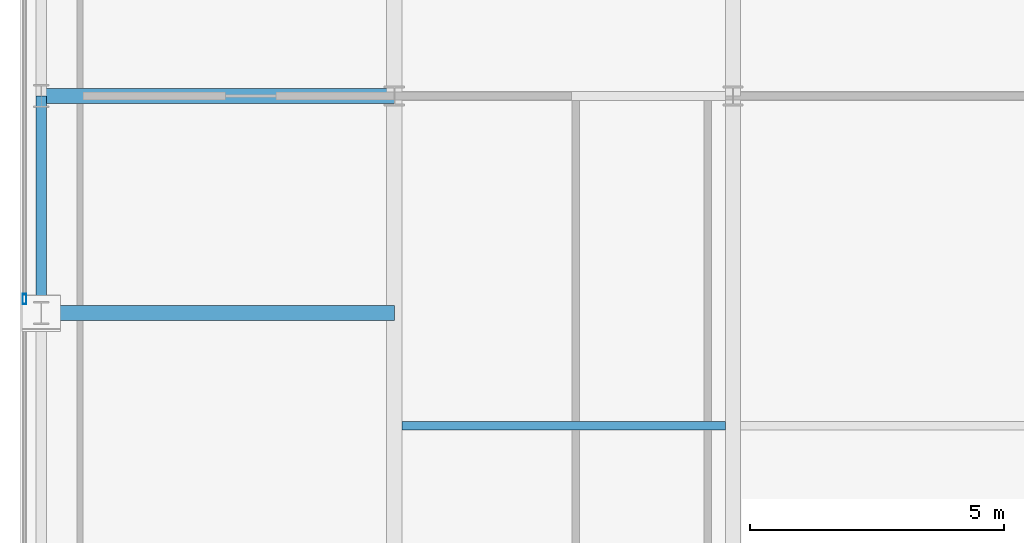
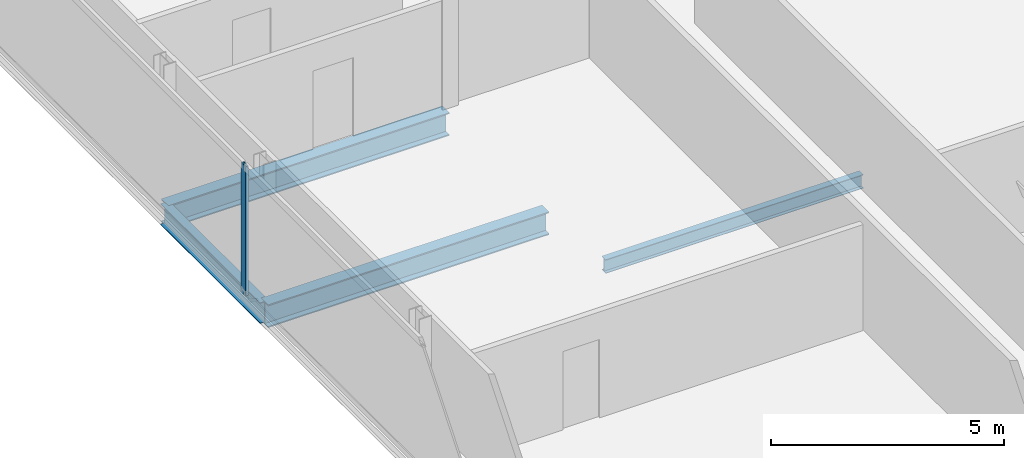
# One storey, part 8 of 24: 4 beams, 1 member, 1 element without a shape of its own.
"""IFC4 building model written with IfcOpenShell, lengths in metres."""

from ifc_helpers import new_model, si_unit, direction, frame, origin, origin_2d, place, context, subcontext, project, spatial, hollow_rectangle, i_section, extrude, material, material_profile, profile_set, type_object, element, aggregate, save


model = new_model("IFC4")

# Units and contexts
model_context = context("Model", 3, precision=1e-05, world=origin(), true_north=direction((0.0, 1.0)))
body_context = subcontext(model_context, "Body", "Model", "MODEL_VIEW")
ifc_project = project(units=[si_unit("LENGTHUNIT", "METRE"), si_unit("AREAUNIT", "SQUARE_METRE"), si_unit("VOLUMEUNIT", "CUBIC_METRE"), si_unit("PLANEANGLEUNIT", "RADIAN"), si_unit("MASSUNIT", "GRAM", prefix="KILO")], contexts=[model_context])

# Site, building, storey
site_placement = place(None, origin())
site = spatial("IfcSite", under=ifc_project, at=site_placement, CompositionType="ELEMENT")
building_placement = place(site_placement, origin())
building = spatial("IfcBuilding", under=site, at=building_placement, Name="Khoronbel Lancet Exchange", CompositionType="ELEMENT")
storey_placement = place(building_placement, frame((0.0, 0.0, 347.0)))
storey = spatial("IfcBuildingStorey", under=building, at=storey_placement, Name="L90", CompositionType="ELEMENT", Elevation=347.0)

# Beams
ifc_material_1 = material(Name="Steel S355", Category="steel")
ifc_material_profile_1 = material_profile(ifc_material_1, i_section(OverallWidth=0.300048828125, OverallDepth=0.60009765625, WebThickness=0.015380859375, FlangeThickness=0.030029296875, at=origin_2d()), Name="HEB 600")
ifc_profile_set_1 = profile_set([ifc_material_profile_1], Name="Steel S355")
beam_type_1 = type_object("IfcBeamType", Name="BM-BG5", PredefinedType="BEAM", material=ifc_profile_set_1)
for number, where, z_axis, x_axis, name in (
    (1, (11.27001953125, 31.425048828125, -0.4599609375), (1.0, 0.0, 0.0), (0.0, 1.0, 0.0), "Level L90 west lens tie girder LG2W"),
    (2, (11.27001953125, 35.699951171875, -0.4599609375), (1.0, 0.0, 0.0), (0.0, 1.0, 0.0), "Level L90 west lens tie girder LG4W"),
):
    element("IfcBeam", number, at=place(storey_placement, frame(where, z_axis=z_axis, x_axis=x_axis)), inside=storey, type_object=beam_type_1, Name=name, PredefinedType="BEAM", context=body_context, shape_type="SweptSolid", body=[
        extrude(i_section(OverallWidth=0.300048828125, OverallDepth=0.60009765625, WebThickness=0.015380859375, FlangeThickness=0.030029296875, at=origin_2d()), origin(), (0.0, 0.0, 1.0), 6.955078125),
    ])
ifc_material_profile_2 = material_profile(ifc_material_1, i_section(OverallWidth=0.169921875, OverallDepth=0.360107421875, WebThickness=0.008056640625, FlangeThickness=0.0126953125, at=origin_2d()), Name="IPE 360")
ifc_profile_set_2 = profile_set([ifc_material_profile_2], Name="Steel S355")
beam_type_2 = type_object("IfcBeamType", Name="BM-BJ6", PredefinedType="JOIST", material=ifc_profile_set_2)
beam_1_placement = place(storey_placement, frame((18.375, 29.199951171875, -0.340087890625), z_axis=(1.0, 0.0, 0.0), x_axis=(0.0, 1.0, 0.0)))
element("IfcBeam", 3, at=beam_1_placement, inside=storey, type_object=beam_type_2, Name="Level L90 secondary composite joist J07", PredefinedType="JOIST", context=body_context, shape_type="SweptSolid", body=[
    extrude(i_section(OverallWidth=0.169921875, OverallDepth=0.360107421875, WebThickness=0.008056640625, FlangeThickness=0.0126953125, at=origin_2d()), origin(), (0.0, 0.0, 1.0), 6.375),
])
ifc_material_profile_3 = material_profile(ifc_material_1, i_section(OverallWidth=0.2099609375, OverallDepth=0.550048828125, WebThickness=0.010986328125, FlangeThickness=0.01708984375, at=origin_2d()), Name="IPE 550")
ifc_profile_set_3 = profile_set([ifc_material_profile_3], Name="Steel S355")
beam_type_3 = type_object("IfcBeamType", Name="BM-BSP3", PredefinedType="SPANDREL", material=ifc_profile_set_3)
beam_2_placement = place(storey_placement, frame((11.27001953125, 35.699951171875, -0.43505859375), z_axis=(0.0, -1.0, 0.0), x_axis=(1.0, 0.0, 0.0)))
element("IfcBeam", 4, at=beam_2_placement, inside=storey, type_object=beam_type_3, Name="Level L90 perimeter spandrel beam SP16", PredefinedType="SPANDREL", context=body_context, shape_type="SweptSolid", body=[
    extrude(i_section(OverallWidth=0.2099609375, OverallDepth=0.550048828125, WebThickness=0.010986328125, FlangeThickness=0.01708984375, at=origin_2d()), origin(), (0.0, 0.0, 1.0), 4.27490234375),
])

# Curtain wall, member
ifc_material_2 = material(Name="Low-E Solar Control Insulating Glass", Category="glass")
curtain_wall_type = type_object("IfcCurtainWallType", Name="CW-4", PredefinedType="NOTDEFINED", material=ifc_material_2)
curtain_wall_placement = place(storey_placement, origin())
curtain_wall = element("IfcCurtainWall", 5, at=curtain_wall_placement, inside=storey, type_object=curtain_wall_type, Name="Unitised curtain wall CW-L90-E03", PredefinedType="NOTDEFINED")
ifc_material_3 = material(Name="Bronze-Anodised Aluminium 6063-T6", Category="aluminium")
ifc_material_profile_4 = material_profile(ifc_material_3, hollow_rectangle(XDim=0.074951171875, YDim=0.199951171875, WallThickness=0.0048828125, at=origin_2d()), Name="ALU MULLION 75x200")
ifc_profile_set_4 = profile_set([ifc_material_profile_4], Name="Bronze-Anodised Aluminium 6063-T6")
member_type = type_object("IfcMemberType", Name="MEM-CWM2", PredefinedType="MULLION", material=ifc_profile_set_4)
member_placement = place(storey_placement, frame((10.93994140625, 31.699951171875, 0.0), z_axis=(0.0, 0.0, 1.0), x_axis=(-1.0, 0.0, 0.0)))
member = element("IfcMember", 6, at=member_placement, type_object=member_type, Name="CW4 mullion 2", PredefinedType="MULLION", context=body_context, shape_type="SweptSolid", body=[
    extrude(hollow_rectangle(XDim=0.074951171875, YDim=0.199951171875, WallThickness=0.0048828125, at=origin_2d()), origin(), (0.0, 0.0, 1.0), 3.3798828125),
])
aggregate(curtain_wall, [member])

save(model, "model.ifc")
